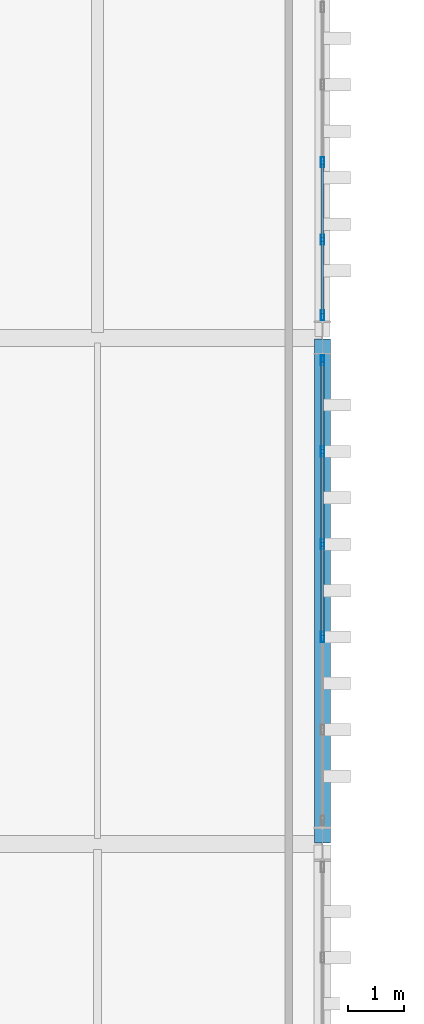
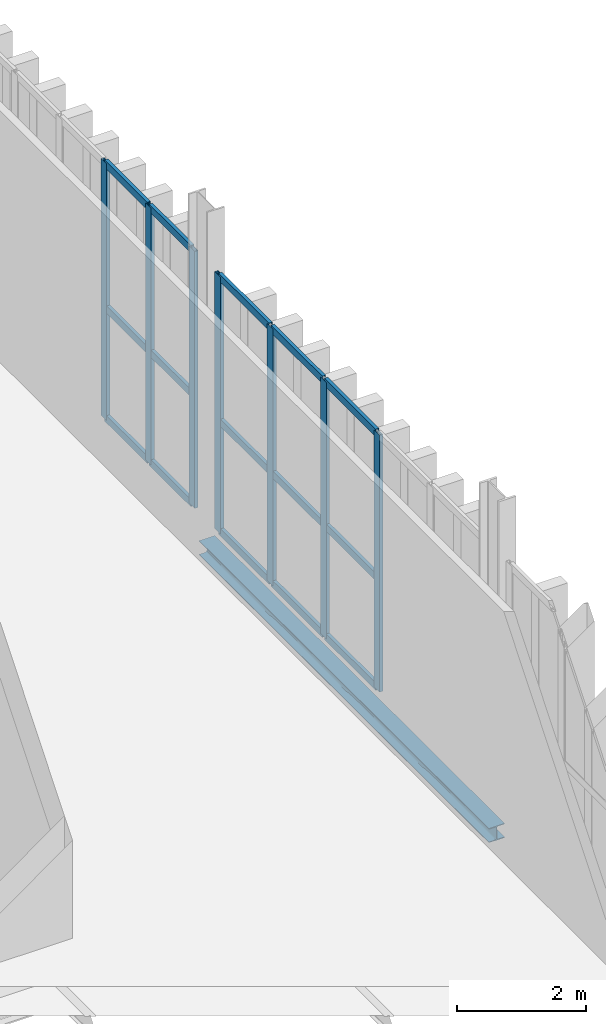
# One storey, part 130 of 237: 22 members, 1 beam, 2 elements without a shape of their own.
"""IFC4 building model written with IfcOpenShell, lengths in metres."""

from ifc_helpers import new_model, si_unit, direction, frame, origin, origin_2d, place, context, subcontext, project, spatial, hollow_rectangle, i_section, extrude, material, layer, layer_set, material_profile, profile_set, type_object, element, aggregate, save


model = new_model("IFC4")

# Units and contexts
model_context = context("Model", 3, precision=1e-05, world=origin(), true_north=direction((0.0, 1.0)))
body_context = subcontext(model_context, "Body", "Model", "MODEL_VIEW")
ifc_project = project(units=[si_unit("LENGTHUNIT", "METRE"), si_unit("AREAUNIT", "SQUARE_METRE"), si_unit("VOLUMEUNIT", "CUBIC_METRE"), si_unit("PLANEANGLEUNIT", "RADIAN"), si_unit("MASSUNIT", "GRAM", prefix="KILO")], contexts=[model_context])

# Site, building, storey
site_placement = place(None, origin())
site = spatial("IfcSite", under=ifc_project, at=site_placement, CompositionType="ELEMENT")
building_placement = place(site_placement, origin())
building = spatial("IfcBuilding", under=site, at=building_placement, Name="Barlavento Convention Centre", CompositionType="ELEMENT")
storey_placement = place(building_placement, frame((0.0, 0.0, 12.0)))
storey = spatial("IfcBuildingStorey", under=building, at=storey_placement, Name="L02", CompositionType="ELEMENT", Elevation=12.0)

# Curtain wall, members
ifc_material_1 = material(Name="Powder-coated aluminium and Low-E glass", Category="aluminium")
ifc_layer = layer(ifc_material_1, 0.195068359375)
ifc_layer_set = layer_set([ifc_layer], Name="ARC-CW-BALL-L02")
curtain_wall_type = type_object("IfcCurtainWallType", Name="ARC-CW-BALL-L02", PredefinedType="NOTDEFINED", material=ifc_layer_set)
curtain_wall_1_placement = place(storey_placement, origin())
curtain_wall_1 = element("IfcCurtainWall", 1, at=curtain_wall_1_placement, inside=storey, type_object=curtain_wall_type, Name="L02 unitised curtain wall CW07", PredefinedType="NOTDEFINED")
ifc_material_2 = material(Name="Powder-coated aluminium", Category="aluminium")
ifc_material_profile_1 = material_profile(ifc_material_2, hollow_rectangle(XDim=0.06005859375, YDim=0.179931640625, WallThickness=0.0048828125, at=origin_2d()), Name="AL-MULL 60x180x5")
ifc_profile_set_1 = profile_set([ifc_material_profile_1], Name="Powder-coated aluminium")
member_type_1 = type_object("IfcMemberType", Name="ARC-CWM-60X180", PredefinedType="MULLION", material=ifc_profile_set_1)
member_1_placement = place(storey_placement, frame((192.0, 12.679931640625, 0.0), z_axis=(0.0, 0.0, 1.0), x_axis=(-1.0, 0.0, 0.0)))
member_1 = element("IfcMember", 2, at=member_1_placement, type_object=member_type_1, Name="CW07 mullion 3", PredefinedType="MULLION", context=body_context, shape_type="SweptSolid", body=[
    extrude(hollow_rectangle(XDim=0.06005859375, YDim=0.179931640625, WallThickness=0.0048828125, at=origin_2d()), origin(), (0.0, 0.0, 1.0), 4.85009765625),
])
member_2_placement = place(storey_placement, frame((192.0, 14.330078125, 0.0), z_axis=(0.0, 0.0, 1.0), x_axis=(-1.0, 0.0, 0.0)))
member_2 = element("IfcMember", 3, at=member_2_placement, type_object=member_type_1, Name="CW07 mullion 4", PredefinedType="MULLION", context=body_context, shape_type="SweptSolid", body=[
    extrude(hollow_rectangle(XDim=0.06005859375, YDim=0.179931640625, WallThickness=0.0048828125, at=origin_2d()), origin(), (0.0, 0.0, 1.0), 4.85009765625),
])
member_3_placement = place(storey_placement, frame((192.0, 15.97998046875, 0.0), z_axis=(0.0, 0.0, 1.0), x_axis=(-1.0, 0.0, 0.0)))
member_3 = element("IfcMember", 4, at=member_3_placement, type_object=member_type_1, Name="CW07 mullion 5", PredefinedType="MULLION", context=body_context, shape_type="SweptSolid", body=[
    extrude(hollow_rectangle(XDim=0.06005859375, YDim=0.179931640625, WallThickness=0.0048828125, at=origin_2d()), origin(), (0.0, 0.0, 1.0), 4.85009765625),
])
member_4_placement = place(storey_placement, frame((192.0, 17.60009765625, 0.0), z_axis=(0.0, 0.0, 1.0), x_axis=(-1.0, 0.0, 0.0)))
member_4 = element("IfcMember", 5, at=member_4_placement, type_object=member_type_1, Name="CW07 mullion 6", PredefinedType="MULLION", context=body_context, shape_type="SweptSolid", body=[
    extrude(hollow_rectangle(XDim=0.06005859375, YDim=0.179931640625, WallThickness=0.0048828125, at=origin_2d()), origin(), (0.0, 0.0, 1.0), 4.85009765625),
])

curtain_wall_2_placement = place(storey_placement, origin())
curtain_wall_2 = element("IfcCurtainWall", 6, at=curtain_wall_2_placement, inside=storey, type_object=curtain_wall_type, Name="L02 unitised curtain wall CW07", PredefinedType="NOTDEFINED")
member_5_placement = place(storey_placement, frame((192.0, 18.39990234375, 0.0), z_axis=(0.0, 0.0, 1.0), x_axis=(-1.0, 0.0, 0.0)))
member_5 = element("IfcMember", 7, at=member_5_placement, type_object=member_type_1, Name="CW07 mullion 1", PredefinedType="MULLION", context=body_context, shape_type="SweptSolid", body=[
    extrude(hollow_rectangle(XDim=0.06005859375, YDim=0.179931640625, WallThickness=0.0048828125, at=origin_2d()), origin(), (0.0, 0.0, 1.0), 4.85009765625),
])
member_6_placement = place(storey_placement, frame((192.0, 19.74658203125, 0.0), z_axis=(0.0, 0.0, 1.0), x_axis=(-1.0, 0.0, 0.0)))
member_6 = element("IfcMember", 8, at=member_6_placement, type_object=member_type_1, Name="CW07 mullion 2", PredefinedType="MULLION", context=body_context, shape_type="SweptSolid", body=[
    extrude(hollow_rectangle(XDim=0.06005859375, YDim=0.179931640625, WallThickness=0.0048828125, at=origin_2d()), origin(), (0.0, 0.0, 1.0), 4.85009765625),
])
member_7_placement = place(storey_placement, frame((192.0, 21.123291015625, 0.0), z_axis=(0.0, 0.0, 1.0), x_axis=(-1.0, 0.0, 0.0)))
member_7 = element("IfcMember", 9, at=member_7_placement, type_object=member_type_1, Name="CW07 mullion 3", PredefinedType="MULLION", context=body_context, shape_type="SweptSolid", body=[
    extrude(hollow_rectangle(XDim=0.06005859375, YDim=0.179931640625, WallThickness=0.0048828125, at=origin_2d()), origin(), (0.0, 0.0, 1.0), 4.85009765625),
])

# Member
ifc_material_profile_2 = material_profile(ifc_material_2, hollow_rectangle(XDim=0.06005859375, YDim=0.139892578125, WallThickness=0.00390625, at=origin_2d()), Name="AL-TRAN 60x140x4")
ifc_profile_set_2 = profile_set([ifc_material_profile_2], Name="Powder-coated aluminium")
member_type_2 = type_object("IfcMemberType", Name="ARC-CWT-60X140", PredefinedType="USERDEFINED", material=ifc_profile_set_2)
member_8_placement = place(storey_placement, frame((192.0, 12.7099609375, 0.030029296875), z_axis=(0.0, 1.0, 0.0), x_axis=(-1.0, 0.0, 0.0)))
member_8 = element("IfcMember", 10, at=member_8_placement, type_object=member_type_2, Name="CW07 transom 3.1", ObjectType="TRANSOM", PredefinedType="USERDEFINED", context=body_context, shape_type="SweptSolid", body=[
    extrude(hollow_rectangle(XDim=0.06005859375, YDim=0.139892578125, WallThickness=0.00390625, at=origin_2d()), origin(), (0.0, 0.0, 1.0), 1.590087890625),
])

member_9_placement = place(storey_placement, frame((192.0, 12.7099609375, 2.10009765625), z_axis=(0.0, 1.0, 0.0), x_axis=(-1.0, 0.0, 0.0)))
member_9 = element("IfcMember", 11, at=member_9_placement, type_object=member_type_2, Name="CW07 transom 3.2", ObjectType="TRANSOM", PredefinedType="USERDEFINED", context=body_context, shape_type="SweptSolid", body=[
    extrude(hollow_rectangle(XDim=0.06005859375, YDim=0.139892578125, WallThickness=0.00390625, at=origin_2d()), origin(), (0.0, 0.0, 1.0), 1.590087890625),
])

member_10_placement = place(storey_placement, frame((192.0, 12.7099609375, 4.820068359375), z_axis=(0.0, 1.0, 0.0), x_axis=(-1.0, 0.0, 0.0)))
member_10 = element("IfcMember", 12, at=member_10_placement, type_object=member_type_2, Name="CW07 transom 3.3", ObjectType="TRANSOM", PredefinedType="USERDEFINED", context=body_context, shape_type="SweptSolid", body=[
    extrude(hollow_rectangle(XDim=0.06005859375, YDim=0.139892578125, WallThickness=0.00390625, at=origin_2d()), origin(), (0.0, 0.0, 1.0), 1.590087890625),
])

member_11_placement = place(storey_placement, frame((192.0, 14.360107421875, 0.030029296875), z_axis=(0.0, 1.0, 0.0), x_axis=(-1.0, 0.0, 0.0)))
member_11 = element("IfcMember", 13, at=member_11_placement, type_object=member_type_2, Name="CW07 transom 4.1", ObjectType="TRANSOM", PredefinedType="USERDEFINED", context=body_context, shape_type="SweptSolid", body=[
    extrude(hollow_rectangle(XDim=0.06005859375, YDim=0.139892578125, WallThickness=0.00390625, at=origin_2d()), origin(), (0.0, 0.0, 1.0), 1.58984375),
])

member_12_placement = place(storey_placement, frame((192.0, 14.360107421875, 2.10009765625), z_axis=(0.0, 1.0, 0.0), x_axis=(-1.0, 0.0, 0.0)))
member_12 = element("IfcMember", 14, at=member_12_placement, type_object=member_type_2, Name="CW07 transom 4.2", ObjectType="TRANSOM", PredefinedType="USERDEFINED", context=body_context, shape_type="SweptSolid", body=[
    extrude(hollow_rectangle(XDim=0.06005859375, YDim=0.139892578125, WallThickness=0.00390625, at=origin_2d()), origin(), (0.0, 0.0, 1.0), 1.58984375),
])

member_13_placement = place(storey_placement, frame((192.0, 14.360107421875, 4.820068359375), z_axis=(0.0, 1.0, 0.0), x_axis=(-1.0, 0.0, 0.0)))
member_13 = element("IfcMember", 15, at=member_13_placement, type_object=member_type_2, Name="CW07 transom 4.3", ObjectType="TRANSOM", PredefinedType="USERDEFINED", context=body_context, shape_type="SweptSolid", body=[
    extrude(hollow_rectangle(XDim=0.06005859375, YDim=0.139892578125, WallThickness=0.00390625, at=origin_2d()), origin(), (0.0, 0.0, 1.0), 1.58984375),
])

member_14_placement = place(storey_placement, frame((192.0, 16.010009765625, 0.030029296875), z_axis=(0.0, 1.0, 0.0), x_axis=(-1.0, 0.0, 0.0)))
member_14 = element("IfcMember", 16, at=member_14_placement, type_object=member_type_2, Name="CW07 transom 5.1", ObjectType="TRANSOM", PredefinedType="USERDEFINED", context=body_context, shape_type="SweptSolid", body=[
    extrude(hollow_rectangle(XDim=0.06005859375, YDim=0.139892578125, WallThickness=0.00390625, at=origin_2d()), origin(), (0.0, 0.0, 1.0), 1.56005859375),
])

member_15_placement = place(storey_placement, frame((192.0, 16.010009765625, 2.10009765625), z_axis=(0.0, 1.0, 0.0), x_axis=(-1.0, 0.0, 0.0)))
member_15 = element("IfcMember", 17, at=member_15_placement, type_object=member_type_2, Name="CW07 transom 5.2", ObjectType="TRANSOM", PredefinedType="USERDEFINED", context=body_context, shape_type="SweptSolid", body=[
    extrude(hollow_rectangle(XDim=0.06005859375, YDim=0.139892578125, WallThickness=0.00390625, at=origin_2d()), origin(), (0.0, 0.0, 1.0), 1.56005859375),
])

member_16_placement = place(storey_placement, frame((192.0, 16.010009765625, 4.820068359375), z_axis=(0.0, 1.0, 0.0), x_axis=(-1.0, 0.0, 0.0)))
member_16 = element("IfcMember", 18, at=member_16_placement, type_object=member_type_2, Name="CW07 transom 5.3", ObjectType="TRANSOM", PredefinedType="USERDEFINED", context=body_context, shape_type="SweptSolid", body=[
    extrude(hollow_rectangle(XDim=0.06005859375, YDim=0.139892578125, WallThickness=0.00390625, at=origin_2d()), origin(), (0.0, 0.0, 1.0), 1.56005859375),
])

aggregate(curtain_wall_1, [member_1, member_2, member_3, member_4, member_8, member_9, member_10, member_11, member_12, member_13, member_14, member_15, member_16])

member_17_placement = place(storey_placement, frame((192.0, 18.429931640625, 0.030029296875), z_axis=(0.0, 1.0, 0.0), x_axis=(-1.0, 0.0, 0.0)))
member_17 = element("IfcMember", 19, at=member_17_placement, type_object=member_type_2, Name="CW07 transom 1.1", ObjectType="TRANSOM", PredefinedType="USERDEFINED", context=body_context, shape_type="SweptSolid", body=[
    extrude(hollow_rectangle(XDim=0.06005859375, YDim=0.139892578125, WallThickness=0.00390625, at=origin_2d()), origin(), (0.0, 0.0, 1.0), 1.28662109375),
])

member_18_placement = place(storey_placement, frame((192.0, 18.429931640625, 2.10009765625), z_axis=(0.0, 1.0, 0.0), x_axis=(-1.0, 0.0, 0.0)))
member_18 = element("IfcMember", 20, at=member_18_placement, type_object=member_type_2, Name="CW07 transom 1.2", ObjectType="TRANSOM", PredefinedType="USERDEFINED", context=body_context, shape_type="SweptSolid", body=[
    extrude(hollow_rectangle(XDim=0.06005859375, YDim=0.139892578125, WallThickness=0.00390625, at=origin_2d()), origin(), (0.0, 0.0, 1.0), 1.28662109375),
])

member_19_placement = place(storey_placement, frame((192.0, 18.429931640625, 4.820068359375), z_axis=(0.0, 1.0, 0.0), x_axis=(-1.0, 0.0, 0.0)))
member_19 = element("IfcMember", 21, at=member_19_placement, type_object=member_type_2, Name="CW07 transom 1.3", ObjectType="TRANSOM", PredefinedType="USERDEFINED", context=body_context, shape_type="SweptSolid", body=[
    extrude(hollow_rectangle(XDim=0.06005859375, YDim=0.139892578125, WallThickness=0.00390625, at=origin_2d()), origin(), (0.0, 0.0, 1.0), 1.28662109375),
])

member_20_placement = place(storey_placement, frame((192.0, 19.776611328125, 0.030029296875), z_axis=(0.0, 1.0, 0.0), x_axis=(-1.0, 0.0, 0.0)))
member_20 = element("IfcMember", 22, at=member_20_placement, type_object=member_type_2, Name="CW07 transom 2.1", ObjectType="TRANSOM", PredefinedType="USERDEFINED", context=body_context, shape_type="SweptSolid", body=[
    extrude(hollow_rectangle(XDim=0.06005859375, YDim=0.139892578125, WallThickness=0.00390625, at=origin_2d()), origin(), (0.0, 0.0, 1.0), 1.316650390625),
])

member_21_placement = place(storey_placement, frame((192.0, 19.776611328125, 2.10009765625), z_axis=(0.0, 1.0, 0.0), x_axis=(-1.0, 0.0, 0.0)))
member_21 = element("IfcMember", 23, at=member_21_placement, type_object=member_type_2, Name="CW07 transom 2.2", ObjectType="TRANSOM", PredefinedType="USERDEFINED", context=body_context, shape_type="SweptSolid", body=[
    extrude(hollow_rectangle(XDim=0.06005859375, YDim=0.139892578125, WallThickness=0.00390625, at=origin_2d()), origin(), (0.0, 0.0, 1.0), 1.316650390625),
])

member_22_placement = place(storey_placement, frame((192.0, 19.776611328125, 4.820068359375), z_axis=(0.0, 1.0, 0.0), x_axis=(-1.0, 0.0, 0.0)))
member_22 = element("IfcMember", 24, at=member_22_placement, type_object=member_type_2, Name="CW07 transom 2.3", ObjectType="TRANSOM", PredefinedType="USERDEFINED", context=body_context, shape_type="SweptSolid", body=[
    extrude(hollow_rectangle(XDim=0.06005859375, YDim=0.139892578125, WallThickness=0.00390625, at=origin_2d()), origin(), (0.0, 0.0, 1.0), 1.316650390625),
])

aggregate(curtain_wall_2, [member_5, member_6, member_7, member_17, member_18, member_19, member_20, member_21, member_22])

# Beam
ifc_material_3 = material(Name="Steel S355", Category="steel")
ifc_material_profile_3 = material_profile(ifc_material_3, i_section(OverallWidth=0.280029296875, OverallDepth=0.27001953125, WebThickness=0.008056640625, FlangeThickness=0.012939453125, FilletRadius=0.02392578125, at=origin_2d()), Name="HEA 280")
ifc_profile_set_3 = profile_set([ifc_material_profile_3], Name="Steel S355")
beam_type = type_object("IfcBeamType", Name="STR-BM-SPN-HEA280", PredefinedType="SPANDREL", material=ifc_profile_set_3)
beam_placement = place(storey_placement, frame((192.0, 9.02001953125, -0.5048828125), z_axis=(0.0, 1.0, 0.0), x_axis=(-1.0, 0.0, 0.0)))
element("IfcBeam", 25, at=beam_placement, inside=storey, type_object=beam_type, Name="L02 grid girder SP03", PredefinedType="SPANDREL", context=body_context, shape_type="SweptSolid", body=[
    extrude(i_section(OverallWidth=0.280029296875, OverallDepth=0.27001953125, WebThickness=0.008056640625, FlangeThickness=0.012939453125, FilletRadius=0.02392578125, at=origin_2d()), origin(), (0.0, 0.0, 1.0), 8.9599609375),
])

save(model, "model.ifc")
